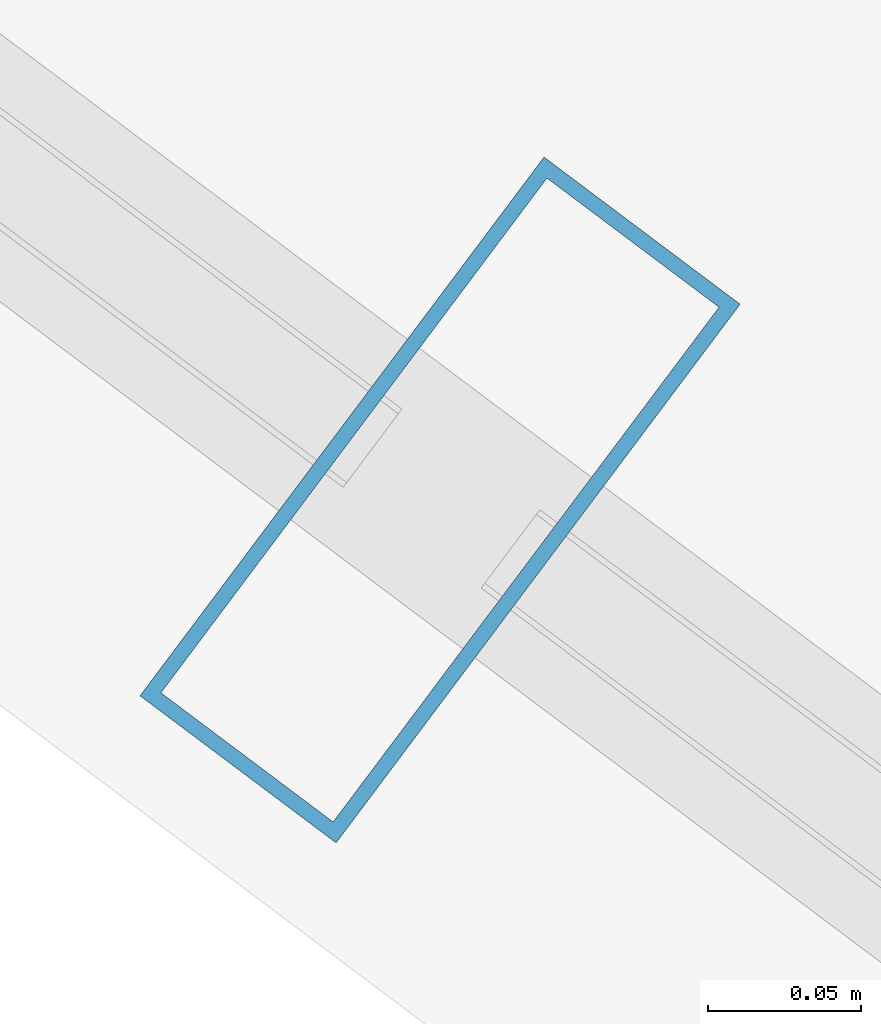
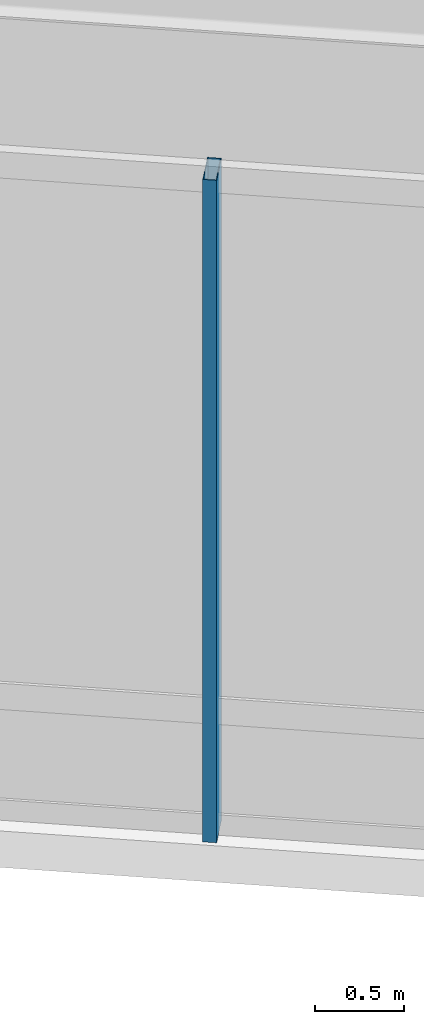
# One storey, part 3 of 21: 1 member, 1 element without a shape of its own.
"""IFC4 building model written with IfcOpenShell, lengths in metres."""

from ifc_helpers import new_model, si_unit, direction, frame, origin, origin_2d, place, context, subcontext, project, spatial, hollow_rectangle, extrude, material, layer, layer_set, material_profile, profile_set, type_object, element, aggregate, save


model = new_model("IFC4")

# Units and contexts
model_context = context("Model", 3, precision=1e-05, world=origin(), true_north=direction((0.0, 1.0)))
body_context = subcontext(model_context, "Body", "Model", "MODEL_VIEW")
ifc_project = project(units=[si_unit("LENGTHUNIT", "METRE"), si_unit("AREAUNIT", "SQUARE_METRE"), si_unit("VOLUMEUNIT", "CUBIC_METRE"), si_unit("PLANEANGLEUNIT", "RADIAN"), si_unit("MASSUNIT", "GRAM", prefix="KILO")], contexts=[model_context])

# Site, building, storey
site_placement = place(None, origin())
site = spatial("IfcSite", under=ifc_project, at=site_placement, CompositionType="ELEMENT")
building_placement = place(site_placement, origin())
building = spatial("IfcBuilding", under=site, at=building_placement, Name="Hatsunagi Terrace Concourse", CompositionType="ELEMENT")
storey_placement = place(building_placement, frame((0.0, 0.0, 186.75)))
storey = spatial("IfcBuildingStorey", under=building, at=storey_placement, Name="L49", CompositionType="ELEMENT", Elevation=186.75)

# Curtain wall, member
ifc_material_1 = material(Name="Anodised Aluminium Alloy 6063-T5", Category="aluminium")
ifc_layer = layer(ifc_material_1, 0.199951171875)
ifc_layer_set = layer_set([ifc_layer], Name="SkyLobbyAtrium_CW05")
curtain_wall_type = type_object("IfcCurtainWallType", Name="SkyLobbyAtrium_CW05", PredefinedType="NOTDEFINED", material=ifc_layer_set)
curtain_wall_placement = place(storey_placement, origin())
curtain_wall = element("IfcCurtainWall", 1, at=curtain_wall_placement, inside=storey, type_object=curtain_wall_type, Name="Unitised Curtain Wall CW-05 CW-L49-05", PredefinedType="NOTDEFINED")
ifc_material_2 = material(Name="Anodised Aluminium Alloy 6063-T5", Category="aluminium")
ifc_material_profile = material_profile(ifc_material_2, hollow_rectangle(XDim=0.080078125, YDim=0.219970703125, WallThickness=0.0048828125, at=origin_2d()), Name="ALU-MUL-220x80x5")
ifc_profile_set = profile_set([ifc_material_profile], Name="Anodised Aluminium Alloy 6063-T5")
member_type = type_object("IfcMemberType", Name="CurtainWallMullion_Heavy_220x80", PredefinedType="MULLION", material=ifc_profile_set)
member_placement = place(storey_placement, frame((41.341064453125, 11.468994140625, 0.0), z_axis=(0.0, 0.0, 1.0), x_axis=(-0.800005211305, 0.599993051531, 0.0)))
member = element("IfcMember", 2, at=member_placement, type_object=member_type, Name="Curtain Wall Mullion MUL-01", PredefinedType="MULLION", context=body_context, shape_type="SweptSolid", body=[
    extrude(hollow_rectangle(XDim=0.080078125, YDim=0.219970703125, WallThickness=0.0048828125, at=origin_2d()), origin(), (0.0, 0.0, 1.0), 4.550048828125),
])
aggregate(curtain_wall, [member])

save(model, "model.ifc")
